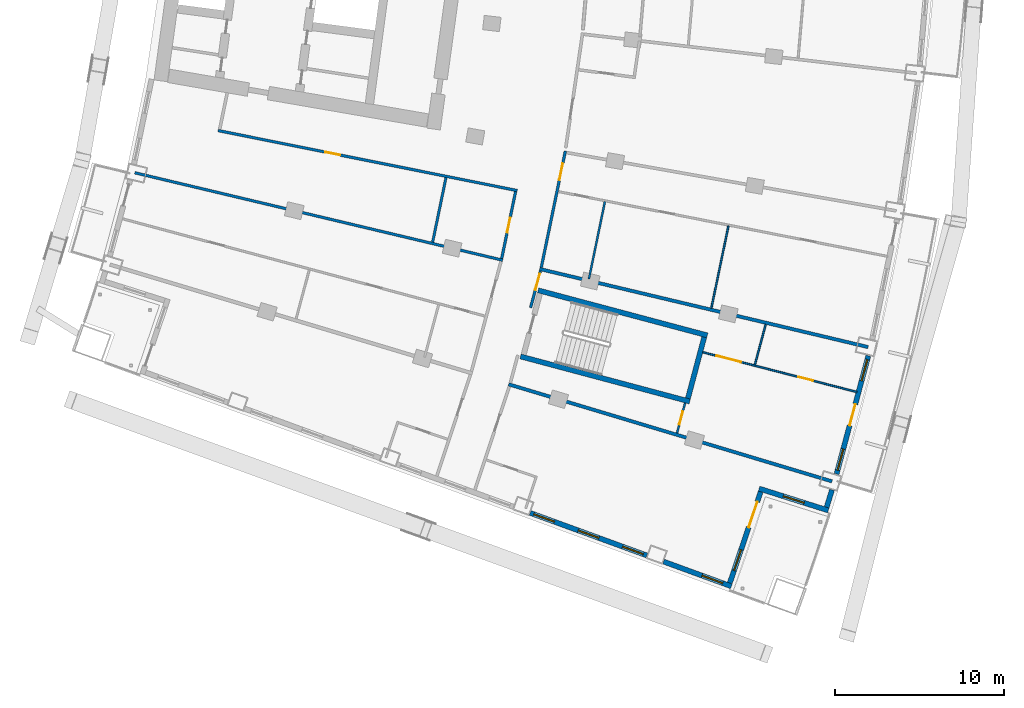
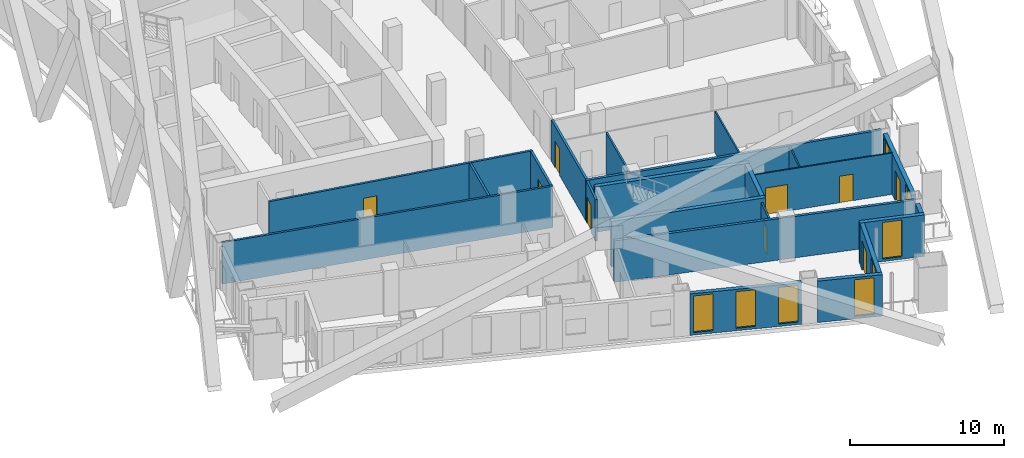
# One storey, part 12 of 24: 22 walls, 9 doors, 8 windows, 17 openings.
"""IFC4 building model written with IfcOpenShell, lengths in metres."""

from ifc_helpers import new_model, si_unit, direction, frame, frame_2d, origin, place, context, subcontext, project, spatial, rectangle, extrude, material, layer, layer_set, type_object, element, fill, save


model = new_model("IFC4")

# Units and contexts
model_context = context("Model", 3, precision=1e-05, world=origin(), true_north=direction((0.0, 1.0)))
body_context = subcontext(model_context, "Body", "Model", "MODEL_VIEW")
ifc_project = project(units=[si_unit("LENGTHUNIT", "METRE"), si_unit("AREAUNIT", "SQUARE_METRE"), si_unit("VOLUMEUNIT", "CUBIC_METRE"), si_unit("PLANEANGLEUNIT", "RADIAN"), si_unit("MASSUNIT", "GRAM", prefix="KILO")], contexts=[model_context])

# Site, building, storey
site_placement = place(None, origin())
site = spatial("IfcSite", under=ifc_project, at=site_placement, CompositionType="ELEMENT")
building_placement = place(site_placement, origin())
building = spatial("IfcBuilding", under=site, at=building_placement, Name="Alderwake Tower", CompositionType="ELEMENT")
storey_placement = place(building_placement, frame((0.0, 0.0, 104.0)))
storey = spatial("IfcBuildingStorey", under=building, at=storey_placement, Name="L25", CompositionType="ELEMENT", Elevation=104.0)

# Walls
ifc_material_1 = material(Name="Concrete C70/85", Category="concrete")
ifc_layer_1 = layer(ifc_material_1, 0.300048828125)
ifc_layer_set_1 = layer_set([ifc_layer_1], Name="Core wall stair enclosure 300 C70-85")
wall_type_1 = type_object("IfcWallType", Name="Core wall stair enclosure 300 C70-85", PredefinedType="SHEAR", material=ifc_layer_set_1)
for number, where, z_axis, x_axis, name in (
    (1, (37.75390625, 31.731201171875, 0.0), (0.0, 0.0, 1.0), (0.966309214305, -0.257383958996, 0.0), "Core wall CW.086"),
    (2, (36.71142578125, 27.817626953125, 0.0), (0.0, 0.0, 1.0), (0.966309214305, -0.257383958996, 0.0), "Core wall CW.088"),
):
    element("IfcWall", number, at=place(storey_placement, frame(where, z_axis=z_axis, x_axis=x_axis)), inside=storey, type_object=wall_type_1, Name=name, PredefinedType="SHEAR", context=body_context, shape_type="SweptSolid", body=[
        extrude(rectangle(XDim=10.360107421875, YDim=0.300048828125, at=frame_2d((5.18017578125, 0.0))), origin(), (0.0, 0.0, 1.0), 3.60009765625),
    ])
wall_1_placement = place(storey_placement, frame((46.6162109375, 25.334716796875, 0.0), z_axis=(0.0, 0.0, 1.0), x_axis=(0.257366821694, 0.966313778796, 0.0)))
element("IfcWall", 3, at=wall_1_placement, inside=storey, type_object=wall_type_1, Name="Core wall CW.085", PredefinedType="SHEAR", context=body_context, shape_type="SweptSolid", body=[
    extrude(rectangle(XDim=3.749755859375, YDim=0.300048828125, at=frame_2d((1.875, 0.0))), origin(), (0.0, 0.0, 1.0), 3.60009765625),
])
ifc_material_2 = material(Name="Gypsum board on metal studs, rated")
ifc_layer_2 = layer(ifc_material_2, 0.159912109375)
ifc_layer_set_2 = layer_set([ifc_layer_2], Name="Corridor wall 160")
wall_type_2 = type_object("IfcWallType", Name="Corridor wall 160", PredefinedType="PARTITIONING", material=ifc_layer_set_2)
wall_2_placement = place(storey_placement, frame((13.884033203125, 38.68798828125, 0.0), z_axis=(0.0, 0.0, 1.0), x_axis=(0.972893462073, -0.231253781493, 0.0)))
element("IfcWall", 4, at=wall_2_placement, inside=storey, type_object=wall_type_2, Name="WL/L25/W16", PredefinedType="PARTITIONING", context=body_context, shape_type="SweptSolid", body=[
    extrude(rectangle(XDim=22.38037109375, YDim=0.159912109375, at=frame_2d((11.190185546875, 0.0))), origin(), (0.0, 0.0, 1.0), 3.280029296875),
])

# Wall, opening, door
wall_3_placement = place(storey_placement, frame((36.513427734375, 37.63427734375, 0.0), z_axis=(0.0, 0.0, 1.0), x_axis=(-0.980470254867, 0.1966674333, 0.0)))
wall_3 = element("IfcWall", 5, at=wall_3_placement, inside=storey, type_object=wall_type_2, Name="WL/L25/W18", PredefinedType="PARTITIONING", context=body_context, shape_type="SweptSolid", body=[
    extrude(rectangle(XDim=18.053466796875, YDim=0.159912109375, at=frame_2d((9.02685546875, 0.0))), origin(), (0.0, 0.0, 1.0), 3.280029296875),
])
opening_1_placement = place(wall_3_placement, frame((10.6767578125, 0.0, 0.0)))
opening_1 = element("IfcOpeningElement", 6, at=opening_1_placement, cuts=wall_3, Name="Opening R07-SBS1", PredefinedType="OPENING", context=body_context, shape_type="SweptSolid", body=[
    extrude(rectangle(XDim=0.89990234375, YDim=2.10009765625, at=frame_2d((0.449951171875, 1.050048828125))), frame((0.0, 0.08984375, 0.0), z_axis=(0.0, -1.0, 0.0), x_axis=(1.0, 0.0, 0.0)), (0.0, 0.0, 1.0), 0.179931640625),
])
ifc_material_3 = material(Name="Painted timber leaf", Category="wood")
door_type_1 = type_object("IfcDoorType", Name="Room door 900", OperationType="SINGLE_SWING_LEFT", PredefinedType="DOOR", material=ifc_material_3)
door_1_placement = place(opening_1_placement, origin())
door_1 = element("IfcDoor", 7, at=door_1_placement, inside=storey, type_object=door_type_1, Name="DR/L25/SBS1", OperationType="SINGLE_SWING_LEFT", OverallHeight=2.10009765625, OverallWidth=0.89990234375, PredefinedType="DOOR", context=body_context, shape_type="SweptSolid", body=[
    extrude(rectangle(XDim=0.89990234375, YDim=2.10009765625, at=frame_2d((0.449951171875, 1.050048828125))), frame((0.0, 0.02490234375, 0.0), z_axis=(0.0, -1.0, 0.0), x_axis=(1.0, 0.0, 0.0)), (0.0, 0.0, 1.0), 0.050048828125),
])
fill(opening_1, door_1)

wall_4_placement = place(storey_placement, frame((35.59619140625, 33.609375, 0.0), z_axis=(0.0, 0.0, 1.0), x_axis=(0.203245920818, 0.979127721838, 0.0)))
wall_4 = element("IfcWall", 8, at=wall_4_placement, inside=storey, type_object=wall_type_2, Name="WL/L25/W29", PredefinedType="PARTITIONING", context=body_context, shape_type="SweptSolid", body=[
    extrude(rectangle(XDim=4.046875, YDim=0.159912109375, at=frame_2d((2.0234375, 0.0))), origin(), (0.0, 0.0, 1.0), 3.280029296875),
])
opening_2_placement = place(wall_4_placement, frame((1.573486328125, 0.0, 0.0)))
opening_2 = element("IfcOpeningElement", 9, at=opening_2_placement, cuts=wall_4, Name="Opening R07-SBS2", PredefinedType="OPENING", context=body_context, shape_type="SweptSolid", body=[
    extrude(rectangle(XDim=0.89990234375, YDim=2.10009765625, at=frame_2d((0.449951171875, 1.050048828125))), frame((0.0, 0.08984375, 0.0), z_axis=(0.0, -1.0, 0.0), x_axis=(1.0, 0.0, 0.0)), (0.0, 0.0, 1.0), 0.179931640625),
])
door_2_placement = place(opening_2_placement, origin())
door_2 = element("IfcDoor", 10, at=door_2_placement, inside=storey, type_object=door_type_1, Name="DR/L25/SBS2", OperationType="SINGLE_SWING_LEFT", OverallHeight=2.10009765625, OverallWidth=0.89990234375, PredefinedType="DOOR", context=body_context, shape_type="SweptSolid", body=[
    extrude(rectangle(XDim=0.89990234375, YDim=2.10009765625, at=frame_2d((0.449951171875, 1.050048828125))), frame((0.0, 0.02490234375, 0.0), z_axis=(0.0, -1.0, 0.0), x_axis=(1.0, 0.0, 0.0)), (0.0, 0.0, 1.0), 0.050048828125),
])
fill(opening_2, door_2)

wall_5_placement = place(storey_placement, frame((37.89111328125, 32.87939453125, 0.0), z_axis=(0.0, 0.0, 1.0), x_axis=(-0.259620578816, -0.965710699462, 0.0)))
wall_5 = element("IfcWall", 11, at=wall_5_placement, inside=storey, type_object=wall_type_2, Name="WL/L25/W32", PredefinedType="PARTITIONING", context=body_context, shape_type="SweptSolid", body=[
    extrude(rectangle(XDim=2.2578125, YDim=0.159912109375, at=frame_2d((1.12890625, 0.0))), origin(), (0.0, 0.0, 1.0), 3.280029296875),
])
opening_3_placement = place(wall_5_placement, frame((0.1708984375, 0.0, 0.0)))
opening_3 = element("IfcOpeningElement", 12, at=opening_3_placement, cuts=wall_5, Name="Opening R07-U01.1", PredefinedType="OPENING", context=body_context, shape_type="SweptSolid", body=[
    extrude(rectangle(XDim=1.0, YDim=2.10009765625, at=frame_2d((0.5, 1.050048828125))), frame((0.0, 0.08984375, 0.0), z_axis=(0.0, -1.0, 0.0), x_axis=(1.0, 0.0, 0.0)), (0.0, 0.0, 1.0), 0.179931640625),
])
ifc_material_4 = material(Name="Solid timber leaf in steel frame", Category="steel")
door_type_2 = type_object("IfcDoorType", Name="Flat entrance door 1000 fire-rated", OperationType="SINGLE_SWING_LEFT", PredefinedType="DOOR", material=ifc_material_4)
door_3_placement = place(opening_3_placement, origin())
door_3 = element("IfcDoor", 13, at=door_3_placement, inside=storey, type_object=door_type_2, Name="DR/L25/U01.1", OperationType="SINGLE_SWING_LEFT", OverallHeight=2.10009765625, OverallWidth=1.0, PredefinedType="DOOR", context=body_context, shape_type="SweptSolid", body=[
    extrude(rectangle(XDim=1.0, YDim=2.10009765625, at=frame_2d((0.5, 1.050048828125))), frame((0.0, 0.02490234375, 0.0), z_axis=(0.0, -1.0, 0.0), x_axis=(1.0, 0.0, 0.0)), (0.0, 0.0, 1.0), 0.050048828125),
])
fill(opening_3, door_3)

wall_6_placement = place(storey_placement, frame((39.3642578125, 39.975341796875, 0.0), z_axis=(0.0, 0.0, 1.0), x_axis=(-0.202487611378, -0.979284824368, 0.0)))
wall_6 = element("IfcWall", 14, at=wall_6_placement, inside=storey, type_object=wall_type_2, Name="WL/L25/W33", PredefinedType="PARTITIONING", context=body_context, shape_type="SweptSolid", body=[
    extrude(rectangle(XDim=7.04736328125, YDim=0.159912109375, at=frame_2d((3.523681640625, 0.0))), origin(), (0.0, 0.0, 1.0), 3.280029296875),
])
opening_4_placement = place(wall_6_placement, frame((0.7568359375, 0.0, 0.0)))
opening_4 = element("IfcOpeningElement", 15, at=opening_4_placement, cuts=wall_6, Name="Opening R07-U05.2", PredefinedType="OPENING", context=body_context, shape_type="SweptSolid", body=[
    extrude(rectangle(XDim=1.0, YDim=2.10009765625, at=frame_2d((0.5, 1.050048828125))), frame((0.0, 0.08984375, 0.0), z_axis=(0.0, -1.0, 0.0), x_axis=(1.0, 0.0, 0.0)), (0.0, 0.0, 1.0), 0.179931640625),
])
door_4_placement = place(opening_4_placement, origin())
door_4 = element("IfcDoor", 16, at=door_4_placement, inside=storey, type_object=door_type_2, Name="DR/L25/U05.2", OperationType="SINGLE_SWING_LEFT", OverallHeight=2.10009765625, OverallWidth=1.0, PredefinedType="DOOR", context=body_context, shape_type="SweptSolid", body=[
    extrude(rectangle(XDim=1.0, YDim=2.10009765625, at=frame_2d((0.5, 1.050048828125))), frame((0.0, 0.02490234375, 0.0), z_axis=(0.0, -1.0, 0.0), x_axis=(1.0, 0.0, 0.0)), (0.0, 0.0, 1.0), 0.050048828125),
])
fill(opening_4, door_4)

# Wall
ifc_material_5 = material(Name="Precast concrete C50/60 spandrel panel", Category="concrete")
ifc_layer_3 = layer(ifc_material_5, 0.300048828125)
ifc_layer_set_3 = layer_set([ifc_layer_3], Name="External wall EW1 Precast concrete C50/60 spandrel")
wall_type_3 = type_object("IfcWallType", Name="External wall EW1 Precast concrete C50/60 spandrel", PredefinedType="SOLIDWALL", material=ifc_layer_set_3)
wall_7_placement = place(storey_placement, frame((54.824951171875, 18.89306640625, 0.0), z_axis=(0.0, 0.0, 1.0), x_axis=(0.294626445658, 0.955612503852, 0.0)))
element("IfcWall", 17, at=wall_7_placement, inside=storey, type_object=wall_type_3, Name="External wall 11", PredefinedType="SOLIDWALL", context=body_context, shape_type="SweptSolid", body=[
    extrude(rectangle(XDim=1.078857421875, YDim=0.300048828125, at=frame_2d((0.53955078125, 0.0))), origin(), (0.0, 0.0, 1.0), 3.280029296875),
])

# Wall, openings, door, windows
wall_8_placement = place(storey_placement, frame((55.413818359375, 20.865478515625, 0.0), z_axis=(0.0, 0.0, 1.0), x_axis=(0.259492183522, 0.965745207957, 0.0)))
wall_8 = element("IfcWall", 18, at=wall_8_placement, inside=storey, type_object=wall_type_3, Name="External wall 12", PredefinedType="SOLIDWALL", context=body_context, shape_type="SweptSolid", body=[
    extrude(rectangle(XDim=7.24072265625, YDim=0.300048828125, at=frame_2d((3.620361328125, 0.0))), origin(), (0.0, 0.0, 1.0), 3.280029296875),
])
opening_5_placement = place(wall_8_placement, frame((0.22900390625, 0.0, 0.199951171875)))
opening_5 = element("IfcOpeningElement", 19, at=opening_5_placement, cuts=wall_8, Name="Opening W1", PredefinedType="OPENING", context=body_context, shape_type="SweptSolid", body=[
    extrude(rectangle(XDim=1.300048828125, YDim=2.89990234375, at=frame_2d((0.64990234375, 1.449951171875))), frame((0.0, 0.159912109375, 0.0), z_axis=(0.0, -1.0, 0.0), x_axis=(1.0, 0.0, 0.0)), (0.0, 0.0, 1.0), 0.320068359375),
])
opening_6_placement = place(wall_8_placement, frame((2.97021484375, 0.0, 0.0)))
opening_6 = element("IfcOpeningElement", 20, at=opening_6_placement, cuts=wall_8, Name="Opening D03", PredefinedType="OPENING", context=body_context, shape_type="SweptSolid", body=[
    extrude(rectangle(XDim=1.300048828125, YDim=2.39990234375, at=frame_2d((0.64990234375, 1.199951171875))), frame((0.0, 0.159912109375, 0.0), z_axis=(0.0, -1.0, 0.0), x_axis=(1.0, 0.0, 0.0)), (0.0, 0.0, 1.0), 0.320068359375),
])
opening_7_placement = place(wall_8_placement, frame((5.711669921875, 0.0, 0.199951171875)))
opening_7 = element("IfcOpeningElement", 21, at=opening_7_placement, cuts=wall_8, Name="Opening W1", PredefinedType="OPENING", context=body_context, shape_type="SweptSolid", body=[
    extrude(rectangle(XDim=1.300048828125, YDim=2.89990234375, at=frame_2d((0.64990234375, 1.449951171875))), frame((0.0, 0.159912109375, 0.0), z_axis=(0.0, -1.0, 0.0), x_axis=(1.0, 0.0, 0.0)), (0.0, 0.0, 1.0), 0.320068359375),
])
ifc_material_6 = material(Name="Bronze tinted glass in aluminium frame", Category="aluminium")
door_type_3 = type_object("IfcDoorType", Name="Balcony door BD sliding", OperationType="SLIDING_TO_LEFT", PredefinedType="DOOR", material=ifc_material_6)
door_5_placement = place(opening_6_placement, origin())
door_5 = element("IfcDoor", 22, at=door_5_placement, inside=storey, type_object=door_type_3, Name="Door D03", OperationType="SLIDING_TO_LEFT", OverallHeight=2.39990234375, OverallWidth=1.300048828125, PredefinedType="DOOR", context=body_context, shape_type="SweptSolid", body=[
    extrude(rectangle(XDim=1.300048828125, YDim=2.39990234375, at=frame_2d((0.64990234375, 1.199951171875))), frame((0.0, 0.02490234375, 0.0), z_axis=(0.0, -1.0, 0.0), x_axis=(1.0, 0.0, 0.0)), (0.0, 0.0, 1.0), 0.050048828125),
])
fill(opening_6, door_5)
ifc_material_7 = material(Name="Bronze tinted glass in aluminium frame", Category="aluminium")
window_type = type_object("IfcWindowType", Name="Window W1 tall fixed and vent", PartitioningType="DOUBLE_PANEL_VERTICAL", PredefinedType="WINDOW", material=ifc_material_7)
window_1_placement = place(opening_5_placement, origin())
window_1 = element("IfcWindow", 23, at=window_1_placement, inside=storey, type_object=window_type, Name="Window W1 tall fixed and vent", OverallHeight=2.89990234375, OverallWidth=1.300048828125, PartitioningType="DOUBLE_PANEL_VERTICAL", PredefinedType="WINDOW", context=body_context, shape_type="SweptSolid", body=[
    extrude(rectangle(XDim=1.300048828125, YDim=2.89990234375, at=frame_2d((0.64990234375, 1.449951171875))), frame((0.0, 0.030029296875, 0.0), z_axis=(0.0, -1.0, 0.0), x_axis=(1.0, 0.0, 0.0)), (0.0, 0.0, 1.0), 0.06005859375),
])
fill(opening_5, window_1)
window_2_placement = place(opening_7_placement, origin())
window_2 = element("IfcWindow", 24, at=window_2_placement, inside=storey, type_object=window_type, Name="Window W1 tall fixed and vent", OverallHeight=2.89990234375, OverallWidth=1.300048828125, PartitioningType="DOUBLE_PANEL_VERTICAL", PredefinedType="WINDOW", context=body_context, shape_type="SweptSolid", body=[
    extrude(rectangle(XDim=1.300048828125, YDim=2.89990234375, at=frame_2d((0.64990234375, 1.449951171875))), frame((0.0, 0.030029296875, 0.0), z_axis=(0.0, -1.0, 0.0), x_axis=(1.0, 0.0, 0.0)), (0.0, 0.0, 1.0), 0.06005859375),
])
fill(opening_7, window_2)

# Wall, openings, windows
ifc_material_8 = material(Name="Bronze metal cladding on lightweight framing")
ifc_layer_4 = layer(ifc_material_8, 0.300048828125)
ifc_layer_set_4 = layer_set([ifc_layer_4], Name="External wall EW2 bronze metal cladding")
wall_type_4 = type_object("IfcWallType", Name="External wall EW2 bronze metal cladding", PredefinedType="SOLIDWALL", material=ifc_layer_set_4)
wall_9_placement = place(storey_placement, frame((37.283935546875, 18.560546875, 0.0), z_axis=(0.0, 0.0, 1.0), x_axis=(0.939378390818, -0.342882252187, 0.0)))
wall_9 = element("IfcWall", 25, at=wall_9_placement, inside=storey, type_object=wall_type_4, Name="External wall 7", PredefinedType="SOLIDWALL", context=body_context, shape_type="SweptSolid", body=[
    extrude(rectangle(XDim=7.345947265625, YDim=0.300048828125, at=frame_2d((3.6728515625, 0.0))), origin(), (0.0, 0.0, 1.0), 3.280029296875),
])
opening_8_placement = place(wall_9_placement, frame((0.222900390625, 0.0, 0.199951171875)))
opening_8 = element("IfcOpeningElement", 26, at=opening_8_placement, cuts=wall_9, Name="Opening W1", PredefinedType="OPENING", context=body_context, shape_type="SweptSolid", body=[
    extrude(rectangle(XDim=1.300048828125, YDim=2.89990234375, at=frame_2d((0.64990234375, 1.449951171875))), frame((0.0, 0.159912109375, 0.0), z_axis=(0.0, -1.0, 0.0), x_axis=(1.0, 0.0, 0.0)), (0.0, 0.0, 1.0), 0.320068359375),
])
opening_9_placement = place(wall_9_placement, frame((3.02294921875, 0.0, 0.199951171875)))
opening_9 = element("IfcOpeningElement", 27, at=opening_9_placement, cuts=wall_9, Name="Opening W1", PredefinedType="OPENING", context=body_context, shape_type="SweptSolid", body=[
    extrude(rectangle(XDim=1.300048828125, YDim=2.89990234375, at=frame_2d((0.64990234375, 1.449951171875))), frame((0.0, 0.159912109375, 0.0), z_axis=(0.0, -1.0, 0.0), x_axis=(1.0, 0.0, 0.0)), (0.0, 0.0, 1.0), 0.320068359375),
])
opening_10_placement = place(wall_9_placement, frame((5.822998046875, 0.0, 0.199951171875)))
opening_10 = element("IfcOpeningElement", 28, at=opening_10_placement, cuts=wall_9, Name="Opening W1", PredefinedType="OPENING", context=body_context, shape_type="SweptSolid", body=[
    extrude(rectangle(XDim=1.300048828125, YDim=2.89990234375, at=frame_2d((0.64990234375, 1.449951171875))), frame((0.0, 0.159912109375, 0.0), z_axis=(0.0, -1.0, 0.0), x_axis=(1.0, 0.0, 0.0)), (0.0, 0.0, 1.0), 0.320068359375),
])
window_3_placement = place(opening_8_placement, origin())
window_3 = element("IfcWindow", 29, at=window_3_placement, inside=storey, type_object=window_type, Name="Window W1 tall fixed and vent", OverallHeight=2.89990234375, OverallWidth=1.300048828125, PartitioningType="DOUBLE_PANEL_VERTICAL", PredefinedType="WINDOW", context=body_context, shape_type="SweptSolid", body=[
    extrude(rectangle(XDim=1.300048828125, YDim=2.89990234375, at=frame_2d((0.64990234375, 1.449951171875))), frame((0.0, 0.030029296875, 0.0), z_axis=(0.0, -1.0, 0.0), x_axis=(1.0, 0.0, 0.0)), (0.0, 0.0, 1.0), 0.06005859375),
])
fill(opening_8, window_3)
window_4_placement = place(opening_9_placement, origin())
window_4 = element("IfcWindow", 30, at=window_4_placement, inside=storey, type_object=window_type, Name="Window W1 tall fixed and vent", OverallHeight=2.89990234375, OverallWidth=1.300048828125, PartitioningType="DOUBLE_PANEL_VERTICAL", PredefinedType="WINDOW", context=body_context, shape_type="SweptSolid", body=[
    extrude(rectangle(XDim=1.300048828125, YDim=2.89990234375, at=frame_2d((0.64990234375, 1.449951171875))), frame((0.0, 0.030029296875, 0.0), z_axis=(0.0, -1.0, 0.0), x_axis=(1.0, 0.0, 0.0)), (0.0, 0.0, 1.0), 0.06005859375),
])
fill(opening_9, window_4)
window_5_placement = place(opening_10_placement, origin())
window_5 = element("IfcWindow", 31, at=window_5_placement, inside=storey, type_object=window_type, Name="Window W1 tall fixed and vent", OverallHeight=2.89990234375, OverallWidth=1.300048828125, PartitioningType="DOUBLE_PANEL_VERTICAL", PredefinedType="WINDOW", context=body_context, shape_type="SweptSolid", body=[
    extrude(rectangle(XDim=1.300048828125, YDim=2.89990234375, at=frame_2d((0.64990234375, 1.449951171875))), frame((0.0, 0.030029296875, 0.0), z_axis=(0.0, -1.0, 0.0), x_axis=(1.0, 0.0, 0.0)), (0.0, 0.0, 1.0), 0.06005859375),
])
fill(opening_10, window_5)

# Wall, opening, window
wall_10_placement = place(storey_placement, frame((45.174560546875, 15.680419921875, 0.0), z_axis=(0.0, 0.0, 1.0), x_axis=(0.939370471817, -0.342903946722, 0.0)))
wall_10 = element("IfcWall", 32, at=wall_10_placement, inside=storey, type_object=wall_type_4, Name="External wall 8", PredefinedType="SOLIDWALL", context=body_context, shape_type="SweptSolid", body=[
    extrude(rectangle(XDim=4.271240234375, YDim=0.300048828125, at=frame_2d((2.1357421875, 0.0))), origin(), (0.0, 0.0, 1.0), 3.280029296875),
])
opening_11_placement = place(wall_10_placement, frame((2.421630859375, 0.0, 0.199951171875)))
opening_11 = element("IfcOpeningElement", 33, at=opening_11_placement, cuts=wall_10, Name="Opening W1", PredefinedType="OPENING", context=body_context, shape_type="SweptSolid", body=[
    extrude(rectangle(XDim=1.300048828125, YDim=2.89990234375, at=frame_2d((0.64990234375, 1.449951171875))), frame((0.0, 0.159912109375, 0.0), z_axis=(0.0, -1.0, 0.0), x_axis=(1.0, 0.0, 0.0)), (0.0, 0.0, 1.0), 0.320068359375),
])
window_6_placement = place(opening_11_placement, origin())
window_6 = element("IfcWindow", 34, at=window_6_placement, inside=storey, type_object=window_type, Name="Window W1 tall fixed and vent", OverallHeight=2.89990234375, OverallWidth=1.300048828125, PartitioningType="DOUBLE_PANEL_VERTICAL", PredefinedType="WINDOW", context=body_context, shape_type="SweptSolid", body=[
    extrude(rectangle(XDim=1.300048828125, YDim=2.89990234375, at=frame_2d((0.64990234375, 1.449951171875))), frame((0.0, 0.030029296875, 0.0), z_axis=(0.0, -1.0, 0.0), x_axis=(1.0, 0.0, 0.0)), (0.0, 0.0, 1.0), 0.06005859375),
])
fill(opening_11, window_6)

# Wall, openings, door, window
wall_11_placement = place(storey_placement, frame((49.093994140625, 14.4091796875, 0.0), z_axis=(0.0, 0.0, 1.0), x_axis=(0.320859050392, 0.947126955472, 0.0)))
wall_11 = element("IfcWall", 35, at=wall_11_placement, inside=storey, type_object=wall_type_4, Name="External wall 9", PredefinedType="SOLIDWALL", context=body_context, shape_type="SweptSolid", body=[
    extrude(rectangle(XDim=5.704345703125, YDim=0.300048828125, at=frame_2d((2.85205078125, 0.0))), origin(), (0.0, 0.0, 1.0), 3.280029296875),
])
opening_12_placement = place(wall_11_placement, frame((0.776123046875, 0.0, 0.199951171875)))
opening_12 = element("IfcOpeningElement", 36, at=opening_12_placement, cuts=wall_11, Name="Opening W1", PredefinedType="OPENING", context=body_context, shape_type="SweptSolid", body=[
    extrude(rectangle(XDim=1.300048828125, YDim=2.89990234375, at=frame_2d((0.64990234375, 1.449951171875))), frame((0.0, 0.159912109375, 0.0), z_axis=(0.0, -1.0, 0.0), x_axis=(1.0, 0.0, 0.0)), (0.0, 0.0, 1.0), 0.320068359375),
])
opening_13_placement = place(wall_11_placement, frame((3.478271484375, 0.0, 0.0)))
opening_13 = element("IfcOpeningElement", 37, at=opening_13_placement, cuts=wall_11, Name="Opening D02", PredefinedType="OPENING", context=body_context, shape_type="SweptSolid", body=[
    extrude(rectangle(XDim=1.60009765625, YDim=2.39990234375, at=frame_2d((0.800048828125, 1.199951171875))), frame((0.0, 0.159912109375, 0.0), z_axis=(0.0, -1.0, 0.0), x_axis=(1.0, 0.0, 0.0)), (0.0, 0.0, 1.0), 0.320068359375),
])
ifc_material_9 = material(Name="Bronze tinted glass in aluminium frame", Category="aluminium")
door_type_4 = type_object("IfcDoorType", Name="Terrace door TD sliding", OperationType="SLIDING_TO_LEFT", PredefinedType="DOOR", material=ifc_material_9)
door_6_placement = place(opening_13_placement, origin())
door_6 = element("IfcDoor", 38, at=door_6_placement, inside=storey, type_object=door_type_4, Name="Door D02", OperationType="SLIDING_TO_LEFT", OverallHeight=2.39990234375, OverallWidth=1.60009765625, PredefinedType="DOOR", context=body_context, shape_type="SweptSolid", body=[
    extrude(rectangle(XDim=1.60009765625, YDim=2.39990234375, at=frame_2d((0.800048828125, 1.199951171875))), frame((0.0, 0.02490234375, 0.0), z_axis=(0.0, -1.0, 0.0), x_axis=(1.0, 0.0, 0.0)), (0.0, 0.0, 1.0), 0.050048828125),
])
fill(opening_13, door_6)
window_7_placement = place(opening_12_placement, origin())
window_7 = element("IfcWindow", 39, at=window_7_placement, inside=storey, type_object=window_type, Name="Window W1 tall fixed and vent", OverallHeight=2.89990234375, OverallWidth=1.300048828125, PartitioningType="DOUBLE_PANEL_VERTICAL", PredefinedType="WINDOW", context=body_context, shape_type="SweptSolid", body=[
    extrude(rectangle(XDim=1.300048828125, YDim=2.89990234375, at=frame_2d((0.64990234375, 1.449951171875))), frame((0.0, 0.030029296875, 0.0), z_axis=(0.0, -1.0, 0.0), x_axis=(1.0, 0.0, 0.0)), (0.0, 0.0, 1.0), 0.06005859375),
])
fill(opening_12, window_7)

# Wall, opening, window
wall_12_placement = place(storey_placement, frame((50.829345703125, 19.999267578125, 0.0), z_axis=(0.0, 0.0, 1.0), x_axis=(0.953453695683, -0.30153946705, 0.0)))
wall_12 = element("IfcWall", 40, at=wall_12_placement, inside=storey, type_object=wall_type_4, Name="External wall 10", PredefinedType="SOLIDWALL", context=body_context, shape_type="SweptSolid", body=[
    extrude(rectangle(XDim=4.29443359375, YDim=0.300048828125, at=frame_2d((2.147216796875, 0.0))), origin(), (0.0, 0.0, 1.0), 3.280029296875),
])
opening_14_placement = place(wall_12_placement, frame((1.4970703125, 0.0, 0.199951171875)))
opening_14 = element("IfcOpeningElement", 41, at=opening_14_placement, cuts=wall_12, Name="Opening W1", PredefinedType="OPENING", context=body_context, shape_type="SweptSolid", body=[
    extrude(rectangle(XDim=1.300048828125, YDim=2.89990234375, at=frame_2d((0.64990234375, 1.449951171875))), frame((0.0, 0.159912109375, 0.0), z_axis=(0.0, -1.0, 0.0), x_axis=(1.0, 0.0, 0.0)), (0.0, 0.0, 1.0), 0.320068359375),
])
window_8_placement = place(opening_14_placement, origin())
window_8 = element("IfcWindow", 42, at=window_8_placement, inside=storey, type_object=window_type, Name="Window W1 tall fixed and vent", OverallHeight=2.89990234375, OverallWidth=1.300048828125, PartitioningType="DOUBLE_PANEL_VERTICAL", PredefinedType="WINDOW", context=body_context, shape_type="SweptSolid", body=[
    extrude(rectangle(XDim=1.300048828125, YDim=2.89990234375, at=frame_2d((0.64990234375, 1.449951171875))), frame((0.0, 0.030029296875, 0.0), z_axis=(0.0, -1.0, 0.0), x_axis=(1.0, 0.0, 0.0)), (0.0, 0.0, 1.0), 0.06005859375),
])
fill(opening_14, window_8)

# Walls
ifc_material_10 = material(Name="Dense block masonry wall", Category="masonry")
ifc_layer_5 = layer(ifc_material_10, 0.199951171875)
ifc_layer_set_5 = layer_set([ifc_layer_5], Name="Party wall 200")
wall_type_5 = type_object("IfcWallType", Name="Party wall 200", PredefinedType="SOLIDWALL", material=ifc_layer_set_5)
wall_13_placement = place(storey_placement, frame((36.00439453125, 26.1708984375, 0.0), z_axis=(0.0, 0.0, 1.0), x_axis=(0.957781542148, -0.287496986975, 0.0)))
element("IfcWall", 43, at=wall_13_placement, inside=storey, type_object=wall_type_5, Name="WL/L25/W05", PredefinedType="SOLIDWALL", context=body_context, shape_type="SweptSolid", body=[
    extrude(rectangle(XDim=19.97900390625, YDim=0.199951171875, at=frame_2d((9.989501953125, 0.0))), origin(), (0.0, 0.0, 1.0), 3.280029296875),
])
wall_14_placement = place(storey_placement, frame((37.839111328125, 32.994384765625, 0.0), z_axis=(0.0, 0.0, 1.0), x_axis=(0.97289006666, -0.231268065662, 0.0)))
element("IfcWall", 44, at=wall_14_placement, inside=storey, type_object=wall_type_5, Name="WL/L25/W06", PredefinedType="SOLIDWALL", context=body_context, shape_type="SweptSolid", body=[
    extrude(rectangle(XDim=19.978271484375, YDim=0.199951171875, at=frame_2d((9.9892578125, 0.0))), origin(), (0.0, 0.0, 1.0), 3.280029296875),
])
ifc_material_11 = material(Name="Gypsum shaft wall system, rated")
ifc_layer_6 = layer(ifc_material_11, 0.14990234375)
ifc_layer_set_6 = layer_set([ifc_layer_6], Name="Riser and shaft wall 150")
wall_type_6 = type_object("IfcWallType", Name="Riser and shaft wall 150", PredefinedType="PARTITIONING", material=ifc_layer_set_6)
wall_15_placement = place(storey_placement, frame((31.51025390625, 34.581298828125, 0.0), z_axis=(0.0, 0.0, 1.0), x_axis=(0.202642899892, 0.979252702383, 0.0)))
element("IfcWall", 45, at=wall_15_placement, inside=storey, type_object=wall_type_6, Name="WL/L25/W12", PredefinedType="PARTITIONING", context=body_context, shape_type="SweptSolid", body=[
    extrude(rectangle(XDim=3.896240234375, YDim=0.14990234375, at=frame_2d((1.9482421875, 0.0))), origin(), (0.0, 0.0, 1.0), 3.280029296875),
])

# Wall, openings, doors
ifc_material_12 = material(Name="Gypsum board on metal studs")
ifc_layer_7 = layer(ifc_material_12, 0.10009765625)
ifc_layer_set_7 = layer_set([ifc_layer_7], Name="Unit partition 100")
wall_type_7 = type_object("IfcWallType", Name="Unit partition 100", PredefinedType="PARTITIONING", material=ifc_layer_set_7)
wall_16_placement = place(storey_placement, frame((56.613037109375, 25.712890625, 0.0), z_axis=(0.0, 0.0, 1.0), x_axis=(-0.9681944797, 0.250198819899, 0.0)))
wall_16 = element("IfcWall", 46, at=wall_16_placement, inside=storey, type_object=wall_type_7, Name="WL/L25/W80", PredefinedType="PARTITIONING", context=body_context, shape_type="SweptSolid", body=[
    extrude(rectangle(XDim=9.413330078125, YDim=0.10009765625, at=frame_2d((4.70654296875, 0.0))), origin(), (0.0, 0.0, 1.0), 3.280029296875),
])
opening_15_placement = place(wall_16_placement, frame((7.081298828125, 0.0, 0.0)))
opening_15 = element("IfcOpeningElement", 47, at=opening_15_placement, cuts=wall_16, Name="Opening R07-U01.2", PredefinedType="OPENING", context=body_context, shape_type="SweptSolid", body=[
    extrude(rectangle(XDim=1.5, YDim=2.10009765625, at=frame_2d((0.75, 1.050048828125))), frame((0.0, 0.06005859375, 0.0), z_axis=(0.0, -1.0, 0.0), x_axis=(1.0, 0.0, 0.0)), (0.0, 0.0, 1.0), 0.1201171875),
])
opening_16_placement = place(wall_16_placement, frame((2.6748046875, 0.0, 0.0)))
opening_16 = element("IfcOpeningElement", 48, at=opening_16_placement, cuts=wall_16, Name="Opening R07-U01.3", PredefinedType="OPENING", context=body_context, shape_type="SweptSolid", body=[
    extrude(rectangle(XDim=0.89990234375, YDim=2.10009765625, at=frame_2d((0.449951171875, 1.050048828125))), frame((0.0, 0.06005859375, 0.0), z_axis=(0.0, -1.0, 0.0), x_axis=(1.0, 0.0, 0.0)), (0.0, 0.0, 1.0), 0.1201171875),
])
ifc_material_13 = material(Name="Painted timber leaves", Category="wood")
door_type_5 = type_object("IfcDoorType", Name="Double leaf door 1500", OperationType="DOUBLE_DOOR_SINGLE_SWING", PredefinedType="DOOR", material=ifc_material_13)
door_7_placement = place(opening_15_placement, origin())
door_7 = element("IfcDoor", 49, at=door_7_placement, inside=storey, type_object=door_type_5, Name="DR/L25/U01.2", OperationType="DOUBLE_DOOR_SINGLE_SWING", OverallHeight=2.10009765625, OverallWidth=1.5, PredefinedType="DOOR", context=body_context, shape_type="SweptSolid", body=[
    extrude(rectangle(XDim=1.5, YDim=2.10009765625, at=frame_2d((0.75, 1.050048828125))), frame((0.0, 0.02490234375, 0.0), z_axis=(0.0, -1.0, 0.0), x_axis=(1.0, 0.0, 0.0)), (0.0, 0.0, 1.0), 0.050048828125),
])
fill(opening_15, door_7)
door_8_placement = place(opening_16_placement, origin())
door_8 = element("IfcDoor", 50, at=door_8_placement, inside=storey, type_object=door_type_1, Name="DR/L25/U01.3", OperationType="SINGLE_SWING_LEFT", OverallHeight=2.10009765625, OverallWidth=0.89990234375, PredefinedType="DOOR", context=body_context, shape_type="SweptSolid", body=[
    extrude(rectangle(XDim=0.89990234375, YDim=2.10009765625, at=frame_2d((0.449951171875, 1.050048828125))), frame((0.0, 0.02490234375, 0.0), z_axis=(0.0, -1.0, 0.0), x_axis=(1.0, 0.0, 0.0)), (0.0, 0.0, 1.0), 0.050048828125),
])
fill(opening_16, door_8)

# Walls
wall_17_placement = place(storey_placement, frame((48.00537109375, 30.679931640625, 0.0), z_axis=(0.0, 0.0, 1.0), x_axis=(0.202880316238, 0.979203542316, 0.0)))
element("IfcWall", 51, at=wall_17_placement, inside=storey, type_object=wall_type_7, Name="WL/L25/W82", PredefinedType="PARTITIONING", context=body_context, shape_type="SweptSolid", body=[
    extrude(rectangle(XDim=4.96630859375, YDim=0.10009765625, at=frame_2d((2.483154296875, 0.0))), origin(), (0.0, 0.0, 1.0), 3.280029296875),
])
wall_18_placement = place(storey_placement, frame((50.574951171875, 27.32421875, 0.0), z_axis=(0.0, 0.0, 1.0), x_axis=(0.259739710308, 0.965678664406, 0.0)))
element("IfcWall", 52, at=wall_18_placement, inside=storey, type_object=wall_type_7, Name="WL/L25/W84", PredefinedType="PARTITIONING", context=body_context, shape_type="SweptSolid", body=[
    extrude(rectangle(XDim=2.47216796875, YDim=0.10009765625, at=frame_2d((1.236083984375, 0.0))), origin(), (0.0, 0.0, 1.0), 3.280029296875),
])
ifc_material_14 = material(Name="Moisture resistant gypsum board on metal studs")
ifc_layer_8 = layer(ifc_material_14, 0.1201171875)
ifc_layer_set_8 = layer_set([ifc_layer_8], Name="Wet room partition 120")
wall_type_8 = type_object("IfcWallType", Name="Wet room partition 120", PredefinedType="PARTITIONING", material=ifc_layer_set_8)
wall_19_placement = place(storey_placement, frame((40.75732421875, 32.402099609375, 0.0), z_axis=(0.0, 0.0, 1.0), x_axis=(0.202555554597, 0.97927077323, 0.0)))
element("IfcWall", 53, at=wall_19_placement, inside=storey, type_object=wall_type_8, Name="WL/L25/W54", PredefinedType="PARTITIONING", context=body_context, shape_type="SweptSolid", body=[
    extrude(rectangle(XDim=4.677734375, YDim=0.1201171875, at=frame_2d((2.3388671875, 0.0))), origin(), (0.0, 0.0, 1.0), 3.280029296875),
])

# Wall, opening, door
wall_20_placement = place(storey_placement, frame((45.970947265625, 23.28369140625, 0.0), z_axis=(0.0, 0.0, 1.0), x_axis=(0.258764710752, 0.965940383497, 0.0)))
wall_20 = element("IfcWall", 54, at=wall_20_placement, inside=storey, type_object=wall_type_8, Name="WL/L25/W62", PredefinedType="PARTITIONING", context=body_context, shape_type="SweptSolid", body=[
    extrude(rectangle(XDim=1.847412109375, YDim=0.1201171875, at=frame_2d((0.923828125, 0.0))), origin(), (0.0, 0.0, 1.0), 3.280029296875),
])
opening_17_placement = place(wall_20_placement, frame((0.523681640625, 0.0, 0.0)))
opening_17 = element("IfcOpeningElement", 55, at=opening_17_placement, cuts=wall_20, Name="Opening R07-U01.4", PredefinedType="OPENING", context=body_context, shape_type="SweptSolid", body=[
    extrude(rectangle(XDim=0.800048828125, YDim=2.10009765625, at=frame_2d((0.39990234375, 1.050048828125))), frame((0.0, 0.070068359375, 0.0), z_axis=(0.0, -1.0, 0.0), x_axis=(1.0, 0.0, 0.0)), (0.0, 0.0, 1.0), 0.14013671875),
])
ifc_material_15 = material(Name="Painted timber leaf", Category="wood")
door_type_6 = type_object("IfcDoorType", Name="Bathroom door 800", OperationType="SINGLE_SWING_LEFT", PredefinedType="DOOR", material=ifc_material_15)
door_9_placement = place(opening_17_placement, origin())
door_9 = element("IfcDoor", 56, at=door_9_placement, inside=storey, type_object=door_type_6, Name="DR/L25/U01.4", OperationType="SINGLE_SWING_LEFT", OverallHeight=2.10009765625, OverallWidth=0.800048828125, PredefinedType="DOOR", context=body_context, shape_type="SweptSolid", body=[
    extrude(rectangle(XDim=0.800048828125, YDim=2.10009765625, at=frame_2d((0.39990234375, 1.050048828125))), frame((0.0, 0.02490234375, 0.0), z_axis=(0.0, -1.0, 0.0), x_axis=(1.0, 0.0, 0.0)), (0.0, 0.0, 1.0), 0.050048828125),
])
fill(opening_17, door_9)

save(model, "model.ifc")
